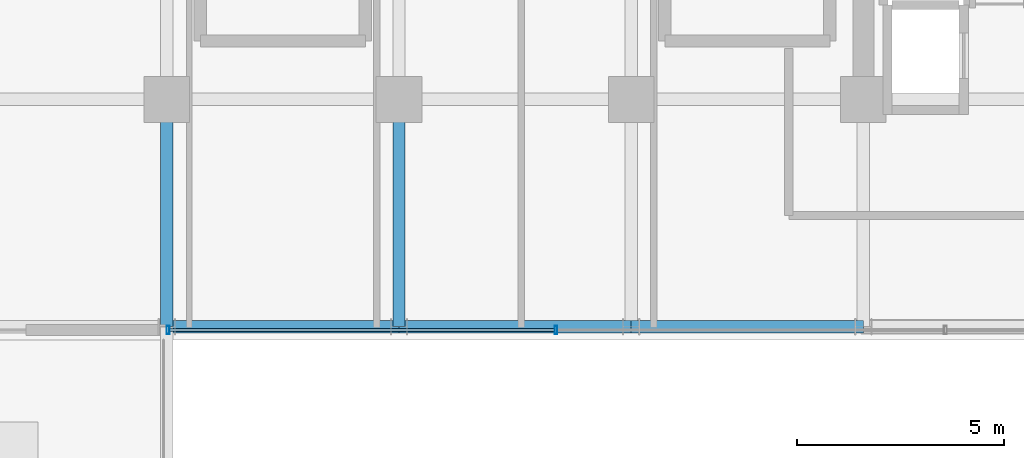
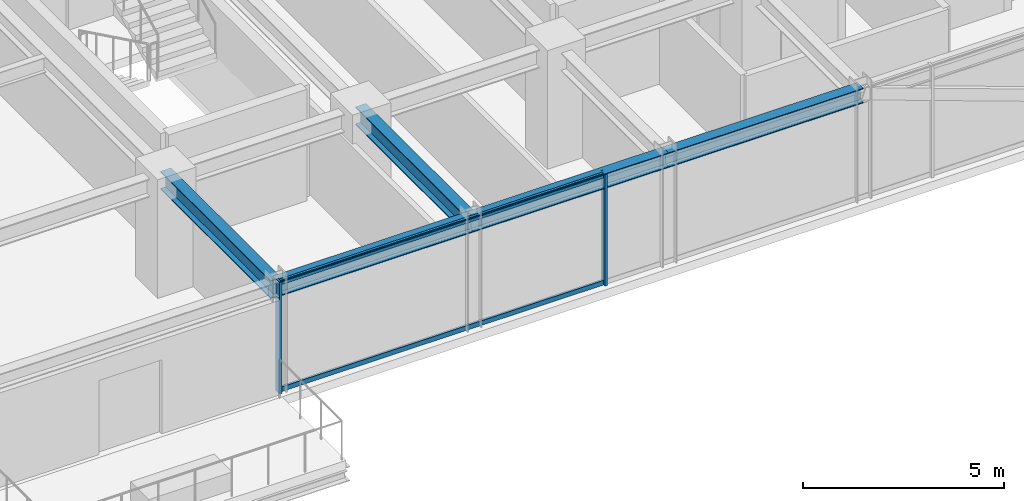
# One storey, part 5 of 36: 5 beams, 4 members, 1 element without a shape of its own.
"""IFC4 building model written with IfcOpenShell, lengths in metres."""

import ifcopenshell
import ifcopenshell.guid

model = None  # the IFC model being written
_history = None  # IfcOwnerHistory: only IFC2X3 demands one
_inside = {}  # id of a spatial element -> (the spatial element, [elements in it])
_under = {}  # id of a project, library or spatial element -> (it, [spatial elements below it])
_declared = {}  # id of a project -> (the project, [libraries it declares])
_typed = {}  # id of a type object -> (the type object, [elements of that type])
_made_of = {}  # id of a material, layer set ... -> (it, [elements and type objects made of it])


def new_model(schema):
    """Start an empty IFC model of exactly this schema.

    Asked for "IFC4X3", IfcOpenShell would pick the latest addendum, in which some entities
    have other attributes; the version numbers below select the first issue.
    IFC2X3 requires an IfcOwnerHistory on every rooted entity: one is made here for all.
    """
    global model, _history
    if schema == "IFC4X3":
        model = ifcopenshell.file(schema_version=(4, 3, 0, 0))
    else:
        model = ifcopenshell.file(schema=schema)
    _inside.clear()
    _under.clear()
    _declared.clear()
    _typed.clear()
    _made_of.clear()
    _history = None
    if model.schema == "IFC2X3":
        org = make("IfcOrganization", Name="unknown")
        user = make(
            "IfcPersonAndOrganization",
            ThePerson=make("IfcPerson", FamilyName="unknown"),
            TheOrganization=org,
        )
        app = make(
            "IfcApplication",
            ApplicationDeveloper=org,
            Version="unknown",
            ApplicationFullName="unknown",
            ApplicationIdentifier="unknown",
        )
        _history = make(
            "IfcOwnerHistory",
            OwningUser=user,
            OwningApplication=app,
            ChangeAction="ADDED",
            CreationDate=0,
        )
    return model


def make(cls, **values):
    """One entity of the class cls with the attributes given. An attribute that is None is left unset."""
    return model.create_entity(
        cls, **{name: value for name, value in values.items() if value is not None}
    )


def rooted(cls, **values):
    """An entity with a GlobalId (a new one), such as an element, a storey or a relation."""
    return make(cls, GlobalId=ifcopenshell.guid.new(), OwnerHistory=_history, **values)


def si_unit(unit_type, name, prefix=None):
    """IfcSIUnit, for example si_unit("LENGTHUNIT", "METRE", prefix="MILLI")."""
    return make("IfcSIUnit", UnitType=unit_type, Prefix=prefix, Name=name)


def assignment(units):
    """IfcUnitAssignment: the units of a project."""
    return None if units is None else make("IfcUnitAssignment", Units=units)


def point(xyz):
    """IfcCartesianPoint."""
    return None if xyz is None else make("IfcCartesianPoint", Coordinates=xyz)


def direction(xyz):
    """IfcDirection."""
    return None if xyz is None else make("IfcDirection", DirectionRatios=xyz)


def frame(location, z_axis=None, x_axis=None):
    """IfcAxis2Placement3D, a coordinate frame: its origin and axes. An axis left out is left unset."""
    return make(
        "IfcAxis2Placement3D",
        Location=point(location),
        Axis=direction(z_axis),
        RefDirection=direction(x_axis),
    )


def frame_2d(location, x_axis=None):
    """IfcAxis2Placement2D, a coordinate frame in the plane: its origin and x axis."""
    return make(
        "IfcAxis2Placement2D", Location=point(location), RefDirection=direction(x_axis)
    )


def origin():
    """The frame at (0, 0, 0) with its axes left unset."""
    return frame((0.0, 0.0, 0.0))


def origin_2d():
    """The frame at (0, 0) in the plane with its x axis left unset."""
    return frame_2d((0.0, 0.0))


def place(relative_to, where):
    """IfcLocalPlacement: puts the frame where relative to a parent placement (None: the world)."""
    return make(
        "IfcLocalPlacement", PlacementRelTo=relative_to, RelativePlacement=where
    )


def context(
    kind, dimensions, precision=None, world=None, true_north=None, identifier=None
):
    """IfcGeometricRepresentationContext, for example the 3D "Model" context."""
    return make(
        "IfcGeometricRepresentationContext",
        ContextIdentifier=identifier,
        ContextType=kind,
        CoordinateSpaceDimension=dimensions,
        Precision=precision,
        WorldCoordinateSystem=world,
        TrueNorth=true_north,
    )


def subcontext(parent, identifier, kind, view, scale=None):
    """IfcGeometricRepresentationSubContext, for example "Body" below "Model"."""
    return make(
        "IfcGeometricRepresentationSubContext",
        ContextIdentifier=identifier,
        ContextType=kind,
        ParentContext=parent,
        TargetScale=scale,
        TargetView=view,
    )


def project(units=None, contexts=None):
    """IfcProject with its units and contexts."""
    return rooted(
        "IfcProject",
        Name="project",
        RepresentationContexts=contexts,
        UnitsInContext=assignment(units),
    )


def spatial(cls, under=None, at=None, **own):
    """A site, building, storey or space (cls), placed at a placement, below another one or the project."""
    s = rooted(cls, ObjectPlacement=at, **own)
    if under is not None:
        _under.setdefault(under.id(), (under, []))[1].append(s)
    return s


def profile(cls, at=None, kind="AREA", **sizes):
    """A parametric profile (cls). Its sizes go by their IFC names, for example OverallWidth=200.0."""
    return make(cls, ProfileType=kind, Position=at, **sizes)


def hollow_rectangle(**sizes):
    """IfcRectangleHollowProfileDef."""
    return profile("IfcRectangleHollowProfileDef", **sizes)


def i_section(**sizes):
    """IfcIShapeProfileDef."""
    return profile("IfcIShapeProfileDef", **sizes)


def extrude(swept, where, along, depth):
    """IfcExtrudedAreaSolid: the profile swept, set in the frame where, extruded along a direction by depth."""
    return make(
        "IfcExtrudedAreaSolid",
        SweptArea=swept,
        Position=where,
        ExtrudedDirection=direction(along),
        Depth=depth,
    )


def shape(context_of_items, identifier, shape_type, items):
    """IfcShapeRepresentation: the items that make up one representation, for example the "Body"."""
    return make(
        "IfcShapeRepresentation",
        ContextOfItems=context_of_items,
        RepresentationIdentifier=identifier,
        RepresentationType=shape_type,
        Items=items,
    )


def source(mapping_origin, context_of_items, identifier, shape_type, items):
    """IfcRepresentationMap: a shape defined once, which mapped items show again and again."""
    return make(
        "IfcRepresentationMap",
        MappingOrigin=mapping_origin,
        MappedRepresentation=shape(context_of_items, identifier, shape_type, items),
    )


def transform(
    local_origin,
    x_axis=None,
    y_axis=None,
    z_axis=None,
    scale=None,
    scale2=None,
    scale3=None,
    uniform=True,
):
    """IfcCartesianTransformationOperator3D, or its non-uniform kind. x_axis, y_axis, z_axis: its Axis1, 2, 3."""
    if uniform:
        return make(
            "IfcCartesianTransformationOperator3D",
            Axis1=direction(x_axis),
            Axis2=direction(y_axis),
            LocalOrigin=point(local_origin),
            Scale=scale,
            Axis3=direction(z_axis),
        )
    return make(
        "IfcCartesianTransformationOperator3DnonUniform",
        Axis1=direction(x_axis),
        Axis2=direction(y_axis),
        LocalOrigin=point(local_origin),
        Scale=scale,
        Axis3=direction(z_axis),
        Scale2=scale2,
        Scale3=scale3,
    )


def mapped(mapping_source, mapping_target):
    """IfcMappedItem: shows the shape of a source again, moved by a transform."""
    return make(
        "IfcMappedItem", MappingSource=mapping_source, MappingTarget=mapping_target
    )


def material(Name=None, Category=None):
    """IfcMaterial."""
    return make("IfcMaterial", Name=Name, Category=Category)


def material_profile(
    of_material, cross_section, Name=None, Category=None, Priority=None
):
    """IfcMaterialProfile: a cross section and its material."""
    return make(
        "IfcMaterialProfile",
        Name=Name,
        Material=of_material,
        Profile=cross_section,
        Priority=Priority,
        Category=Category,
    )


def profile_set(profiles, Name=None, composite=None):
    """IfcMaterialProfileSet."""
    return make(
        "IfcMaterialProfileSet",
        Name=Name,
        MaterialProfiles=profiles,
        CompositeProfile=composite,
    )


def made_of(thing, what):
    """Note that an element or type object is made of a material, layer set ...; save() writes the relation."""
    if what is not None:
        _made_of.setdefault(what.id(), (what, []))[1].append(thing)
    return thing


def type_object(cls, material=None, **own):
    """A type object (cls), such as IfcWallType, which elements share."""
    return made_of(rooted(cls, **own), material)


def element(
    cls,
    number,
    at=None,
    inside=None,
    cuts=None,
    type_object=None,
    material=None,
    context=None,
    identifier="Body",
    shape_type=None,
    held_by="IfcProductDefinitionShape",
    body=None,
    shapes=None,
    **own,
):
    """One element of the class cls, such as IfcWall. Its Tag is "e" and its number.

    at: its placement. inside: the storey or other place that contains it. cuts: it is an
    opening in that element (IfcRelVoidsElement). A single representation is given by context,
    identifier, shape_type and body (its items); several are given by shapes. held_by: the class
    of the entity that holds the representations. save() writes the other relations.
    """
    e = rooted(cls, Tag="e%d" % number, ObjectPlacement=at, **own)
    if body is not None:
        shapes = [shape(context, identifier, shape_type, body)]
    if shapes is not None:
        e.Representation = make(held_by, Representations=shapes)
    if inside is not None:
        _inside.setdefault(inside.id(), (inside, []))[1].append(e)
    if cuts is not None:
        rooted(
            "IfcRelVoidsElement", RelatingBuildingElement=cuts, RelatedOpeningElement=e
        )
    if type_object is not None:
        _typed.setdefault(type_object.id(), (type_object, []))[1].append(e)
    return made_of(e, material)


def aggregate(whole, parts):
    """IfcRelAggregates: a whole, such as a stair, and the parts it consists of."""
    return rooted("IfcRelAggregates", RelatingObject=whole, RelatedObjects=parts)


def save(model, path):
    """Write the relations noted so far, then the file.

    IfcRelAggregates (storeys below a building ...), IfcRelContainedInSpatialStructure (elements
    in a storey), IfcRelDefinesByType, IfcRelAssociatesMaterial and IfcRelDeclares: one each for
    every whole, place, type object, material and project.
    """
    for whole, parts in _under.values():
        aggregate(whole, parts)
    for where, things in _inside.values():
        rooted(
            "IfcRelContainedInSpatialStructure",
            RelatedElements=things,
            RelatingStructure=where,
        )
    for kind, things in _typed.values():
        rooted("IfcRelDefinesByType", RelatedObjects=things, RelatingType=kind)
    for what, things in _made_of.values():
        rooted("IfcRelAssociatesMaterial", RelatedObjects=things, RelatingMaterial=what)
    for by, libraries in _declared.values():
        rooted("IfcRelDeclares", RelatingContext=by, RelatedDefinitions=libraries)
    model.write(path)


model = new_model("IFC4")

# Units and contexts
model_context = context("Model", 3, precision=1e-05, world=origin(), true_north=direction((0.0, 1.0)))
body_context = subcontext(model_context, "Body", "Model", "MODEL_VIEW")
ifc_project = project(units=[si_unit("LENGTHUNIT", "METRE"), si_unit("AREAUNIT", "SQUARE_METRE"), si_unit("VOLUMEUNIT", "CUBIC_METRE"), si_unit("PLANEANGLEUNIT", "RADIAN"), si_unit("MASSUNIT", "GRAM", prefix="KILO")], contexts=[model_context])

# Site, building, storey
site_placement = place(None, origin())
site = spatial("IfcSite", under=ifc_project, at=site_placement, CompositionType="ELEMENT")
building_placement = place(site_placement, origin())
building = spatial("IfcBuilding", under=site, at=building_placement, Name="Nahalor Promenade Grand Hotel", CompositionType="ELEMENT")
storey_placement = place(building_placement, frame((0.0, 0.0, 170.89990234375)))
storey = spatial("IfcBuildingStorey", under=building, at=storey_placement, Name="L43", CompositionType="ELEMENT", Elevation=170.89990234375)

# Beams
ifc_material_1 = material(Name="Steel S355JR", Category="steel")
ifc_material_profile_1 = material_profile(ifc_material_1, i_section(OverallWidth=0.3, OverallDepth=0.55, WebThickness=0.015, FlangeThickness=0.029, at=origin_2d()), Name="HEB 550")
ifc_profile_set_1 = profile_set([ifc_material_profile_1], Name="Steel S355JR")
beam_type_1 = type_object("IfcBeamType", Name="Beam-Girder-HEB550", PredefinedType="BEAM", material=ifc_profile_set_1)
shared_shape_1 = source(origin(), body_context, "Body", "SweptSolid", [
    extrude(i_section(OverallWidth=0.3, OverallDepth=0.55, WebThickness=0.015, FlangeThickness=0.029, at=origin_2d()), origin(), (0.0, 0.0, 1.0), 5.47998046875),
])
for number, where, z_axis, x_axis, name in (
    (1, (-8.39990234375, -22.47998046875, 3.114990234375), (0.0, 1.0, 0.0), (-1.0, 0.0, 0.0), "BM-L43-GY-1-0"),
    (2, (-2.800048828125, -22.47998046875, 3.114990234375), (0.0, 1.0, 0.0), (-1.0, 0.0, 0.0), "BM-L43-GY-2-0"),
):
    element("IfcBeam", number, at=place(storey_placement, frame(where, z_axis=z_axis, x_axis=x_axis)), inside=storey, type_object=beam_type_1, Name=name, PredefinedType="BEAM", context=body_context, shape_type="MappedRepresentation", body=[
        mapped(shared_shape_1, transform((0.0, 0.0, 0.0), scale=1.0)),
    ])
ifc_material_profile_2 = material_profile(ifc_material_1, i_section(OverallWidth=0.3, OverallDepth=0.45, WebThickness=0.014, FlangeThickness=0.026, at=origin_2d()), Name="HEB 450")
ifc_profile_set_2 = profile_set([ifc_material_profile_2], Name="Steel S355JR")
beam_type_2 = type_object("IfcBeamType", Name="Beam-Spandrel-HEB450", PredefinedType="SPANDREL", material=ifc_profile_set_2)
shared_shape_2 = source(origin(), body_context, "Body", "SweptSolid", [
    extrude(i_section(OverallWidth=0.3, OverallDepth=0.45, WebThickness=0.014, FlangeThickness=0.026, at=origin_2d()), origin(), (0.0, 0.0, 1.0), 5.599853515625),
])
for number, where, z_axis, x_axis, name in (
    (3, (-8.39990234375, -22.47998046875, 3.1650390625), (1.0, 0.0, 0.0), (0.0, 1.0, 0.0), "BM-L43-SP-S-1"),
    (4, (2.800048828125, -22.47998046875, 3.1650390625), (1.0, 0.0, 0.0), (0.0, 1.0, 0.0), "BM-L43-SP-S-3"),
):
    element("IfcBeam", number, at=place(storey_placement, frame(where, z_axis=z_axis, x_axis=x_axis)), inside=storey, type_object=beam_type_2, Name=name, PredefinedType="SPANDREL", context=body_context, shape_type="MappedRepresentation", body=[
        mapped(shared_shape_2, transform((0.0, 0.0, 0.0), scale=1.0)),
    ])
shared_shape_3 = source(origin(), body_context, "Body", "SweptSolid", [
    extrude(i_section(OverallWidth=0.3, OverallDepth=0.45, WebThickness=0.014, FlangeThickness=0.026, at=origin_2d()), origin(), (0.0, 0.0, 1.0), 5.60009765625),
])
beam_placement = place(storey_placement, frame((-2.800048828125, -22.47998046875, 3.1650390625), z_axis=(1.0, 0.0, 0.0), x_axis=(0.0, 1.0, 0.0)))
element("IfcBeam", 5, at=beam_placement, inside=storey, type_object=beam_type_2, Name="BM-L43-SP-S-2", PredefinedType="SPANDREL", context=body_context, shape_type="MappedRepresentation", body=[
    mapped(shared_shape_3, transform((0.0, 0.0, 0.0), scale=1.0)),
])

# Curtain wall, members
ifc_material_2 = material(Name="Anodised Bronze Aluminium EN AW-6063 T6", Category="aluminium")
curtain_wall_type = type_object("IfcCurtainWallType", Name="CW3 Elliptical-Void Collar Unitised Curtain Wall", PredefinedType="USERDEFINED", material=ifc_material_2)
curtain_wall_placement = place(storey_placement, origin())
curtain_wall = element("IfcCurtainWall", 6, at=curtain_wall_placement, inside=storey, type_object=curtain_wall_type, Name="L43 Curtain Wall CW-L43-S-3", ObjectType="UNITISED_CURTAIN_WALL", PredefinedType="USERDEFINED")
ifc_material_profile_3 = material_profile(ifc_material_2, hollow_rectangle(XDim=0.07, YDim=0.2, WallThickness=0.005, at=origin_2d()), Name="CWM 70x200x5")
ifc_profile_set_3 = profile_set([ifc_material_profile_3], Name="Anodised Bronze Aluminium EN AW-6063 T6")
member_type_1 = type_object("IfcMemberType", Name="CWM3 Void Collar Mullion 70x200", PredefinedType="MULLION", material=ifc_profile_set_3)
shared_shape_4 = source(origin(), body_context, "Body", "SweptSolid", [
    extrude(hollow_rectangle(XDim=0.07, YDim=0.2, WallThickness=0.005, at=origin_2d()), origin(), (0.0, 0.0, 1.0), 3.39013671875),
])
member_1_placement = place(storey_placement, frame((-8.364990234375, -22.56005859375, 0.0), z_axis=(0.0, 0.0, 1.0), x_axis=(1.0, 0.0, 0.0)))
member_1 = element("IfcMember", 7, at=member_1_placement, type_object=member_type_1, Name="CW-L43-S-3 Mullion 0", PredefinedType="MULLION", context=body_context, shape_type="MappedRepresentation", body=[
    mapped(shared_shape_4, transform((0.0, 0.0, 0.0), scale=1.0)),
])
member_2_placement = place(storey_placement, frame((0.986572265625, -22.56005859375, 0.0), z_axis=(0.0, 0.0, 1.0), x_axis=(1.0, 0.0, 0.0)))
member_2 = element("IfcMember", 8, at=member_2_placement, type_object=member_type_1, Name="CW-L43-S-3 Mullion 1", PredefinedType="MULLION", context=body_context, shape_type="MappedRepresentation", body=[
    mapped(shared_shape_4, transform((0.0, 0.0, 0.0), scale=1.0)),
])
ifc_material_profile_4 = material_profile(ifc_material_2, hollow_rectangle(XDim=0.07, YDim=0.14, WallThickness=0.004, at=origin_2d()), Name="CWT 70x140x4")
ifc_profile_set_4 = profile_set([ifc_material_profile_4], Name="Anodised Bronze Aluminium EN AW-6063 T6")
member_type_2 = type_object("IfcMemberType", Name="CWT3 Void Collar Transom 70x140", PredefinedType="USERDEFINED", material=ifc_profile_set_4)
shared_shape_5 = source(origin(), body_context, "Body", "SweptSolid", [
    extrude(hollow_rectangle(XDim=0.07, YDim=0.14, WallThickness=0.004, at=origin_2d()), origin(), (0.0, 0.0, 1.0), 9.28173828125),
])
member_3_placement = place(storey_placement, frame((-8.330078125, -22.56005859375, 0.070068359375), z_axis=(1.0, 0.0, 0.0), x_axis=(0.0, 1.0, 0.0)))
member_3 = element("IfcMember", 9, at=member_3_placement, type_object=member_type_2, Name="CW-L43-S-3 Transom 0-0", ObjectType="TRANSOM", PredefinedType="USERDEFINED", context=body_context, shape_type="MappedRepresentation", body=[
    mapped(shared_shape_5, transform((0.0, 0.0, 0.0), scale=1.0)),
])
member_4_placement = place(storey_placement, frame((-8.330078125, -22.56005859375, 3.320068359375), z_axis=(1.0, 0.0, 0.0), x_axis=(0.0, 1.0, 0.0)))
member_4 = element("IfcMember", 10, at=member_4_placement, type_object=member_type_2, Name="CW-L43-S-3 Transom 0-1", ObjectType="TRANSOM", PredefinedType="USERDEFINED", context=body_context, shape_type="MappedRepresentation", body=[
    mapped(shared_shape_5, transform((0.0, 0.0, 0.0), scale=1.0)),
])
aggregate(curtain_wall, [member_1, member_2, member_3, member_4])

save(model, "model.ifc")
